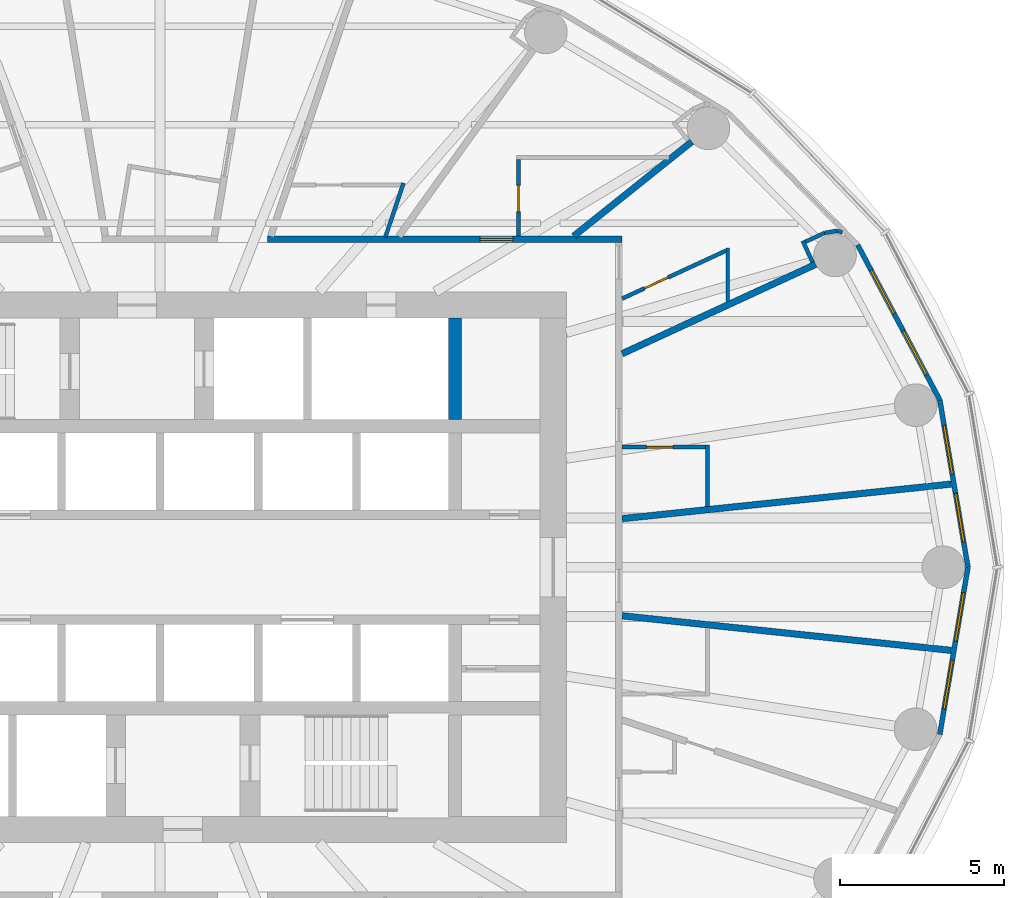
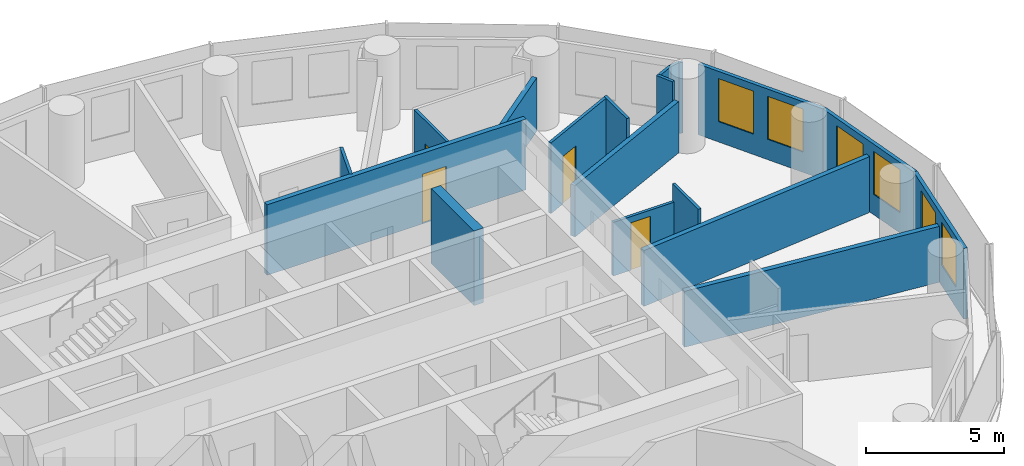
# One storey, part 10 of 13: 19 walls, 6 windows, 4 doors, 10 openings.
"""IFC4 building model written with IfcOpenShell, lengths in metres."""

from ifc_helpers import new_model, si_unit, direction, frame, frame_2d, origin, place, context, subcontext, project, spatial, rectangle, extrude, material, layer, layer_set, type_object, element, fill, save


model = new_model("IFC4")

# Units and contexts
model_context = context("Model", 3, precision=1e-05, world=origin(), true_north=direction((0.0, 1.0)))
body_context = subcontext(model_context, "Body", "Model", "MODEL_VIEW")
ifc_project = project(units=[si_unit("LENGTHUNIT", "METRE"), si_unit("AREAUNIT", "SQUARE_METRE"), si_unit("VOLUMEUNIT", "CUBIC_METRE"), si_unit("PLANEANGLEUNIT", "RADIAN"), si_unit("MASSUNIT", "GRAM", prefix="KILO")], contexts=[model_context])

# Site, building, storey
site_placement = place(None, origin())
site = spatial("IfcSite", under=ifc_project, at=site_placement, CompositionType="ELEMENT")
building_placement = place(site_placement, origin())
building = spatial("IfcBuilding", under=site, at=building_placement, Name="Hankou Lantern Tower", CompositionType="ELEMENT")
storey_placement = place(building_placement, frame((0.0, 0.0, 118.800048828125)))
storey = spatial("IfcBuildingStorey", under=building, at=storey_placement, Name="L30", CompositionType="ELEMENT", Elevation=118.800048828125)

# Wall
ifc_material_1 = material(Name="Concrete C60", Category="concrete")
ifc_layer_1 = layer(ifc_material_1, 0.39990234375)
ifc_layer_set_1 = layer_set([ifc_layer_1], Name="Concrete C60")
wall_type_1 = type_object("IfcWallType", Name="CW4 CORE CROSS WALL 400", PredefinedType="SHEAR", material=ifc_layer_set_1)
wall_1_placement = place(storey_placement, frame((9.0, 4.5, 0.0), z_axis=(0.0, 0.0, 1.0), x_axis=(0.0, 1.0, 0.0)))
element("IfcWall", 1, at=wall_1_placement, inside=storey, type_object=wall_type_1, Name="Core strip wall L30", PredefinedType="SHEAR", context=body_context, shape_type="SweptSolid", body=[
    extrude(rectangle(XDim=3.10009765625, YDim=0.39990234375, at=frame_2d((1.550048828125, 0.0))), origin(), (0.0, 0.0, 1.0), 3.300048828125),
])

# Wall, openings, windows
ifc_material_2 = material(Name="Aluminium spandrel panel on steel studs", Category="steel")
ifc_layer_2 = layer(ifc_material_2, 0.14990234375)
ifc_layer_set_2 = layer_set([ifc_layer_2], Name="Aluminium spandrel panel on steel studs")
wall_type_2 = type_object("IfcWallType", Name="EW1 INNER SKIN WALL 150", PredefinedType="ELEMENTEDWALL", material=ifc_layer_set_2)
wall_2_placement = place(storey_placement, frame((24.64990234375, 0.0, 0.0), z_axis=(0.0, 0.0, 1.0), x_axis=(-0.165883894218, 0.986145290329, 0.0)))
wall_2 = element("IfcWall", 2, at=wall_2_placement, inside=storey, type_object=wall_type_2, Name="Inner skin R01-R02 L30", PredefinedType="ELEMENTEDWALL", context=body_context, shape_type="SweptSolid", body=[
    extrude(rectangle(XDim=5.171630859375, YDim=0.14990234375, at=frame_2d((2.5859375, 0.0))), origin(), (0.0, 0.0, 1.0), 3.119873046875),
])
opening_1_placement = place(wall_2_placement, frame((0.785888671875, 0.0, 0.89990234375)))
opening_1 = element("IfcOpeningElement", 3, at=opening_1_placement, cuts=wall_2, Name="Opening W2", PredefinedType="OPENING", context=body_context, shape_type="SweptSolid", body=[
    extrude(rectangle(XDim=1.5, YDim=1.89990234375, at=frame_2d((0.75, 0.949951171875))), frame((0.0, 0.0849609375, 0.0), z_axis=(0.0, -1.0, 0.0), x_axis=(1.0, 0.0, 0.0)), (0.0, 0.0, 1.0), 0.169921875),
])
opening_2_placement = place(wall_2_placement, frame((2.8857421875, 0.0, 0.89990234375)))
opening_2 = element("IfcOpeningElement", 4, at=opening_2_placement, cuts=wall_2, Name="Opening W2", PredefinedType="OPENING", context=body_context, shape_type="SweptSolid", body=[
    extrude(rectangle(XDim=1.5, YDim=1.89990234375, at=frame_2d((0.75, 0.949951171875))), frame((0.0, 0.0849609375, 0.0), z_axis=(0.0, -1.0, 0.0), x_axis=(1.0, 0.0, 0.0)), (0.0, 0.0, 1.0), 0.169921875),
])
ifc_material_3 = material(Name="Aluminium framed double glazed window", Category="aluminium")
window_type = type_object("IfcWindowType", Name="W2 GUEST ROOM WINDOW 1500X1900", PartitioningType="DOUBLE_PANEL_VERTICAL", PredefinedType="WINDOW", material=ifc_material_3)
window_1_placement = place(opening_1_placement, origin())
window_1 = element("IfcWindow", 5, at=window_1_placement, inside=storey, type_object=window_type, Name="Window R01.1 L30", OverallHeight=1.89990234375, OverallWidth=1.5, PartitioningType="SINGLE_PANEL", PredefinedType="WINDOW", context=body_context, shape_type="SweptSolid", body=[
    extrude(rectangle(XDim=1.5, YDim=1.89990234375, at=frame_2d((0.75, 0.949951171875))), frame((0.0, 0.030029296875, 0.0), z_axis=(0.0, -1.0, 0.0), x_axis=(1.0, 0.0, 0.0)), (0.0, 0.0, 1.0), 0.06005859375),
])
fill(opening_1, window_1)
window_2_placement = place(opening_2_placement, origin())
window_2 = element("IfcWindow", 6, at=window_2_placement, inside=storey, type_object=window_type, Name="Window R01.2 L30", OverallHeight=1.89990234375, OverallWidth=1.5, PartitioningType="SINGLE_PANEL", PredefinedType="WINDOW", context=body_context, shape_type="SweptSolid", body=[
    extrude(rectangle(XDim=1.5, YDim=1.89990234375, at=frame_2d((0.75, 0.949951171875))), frame((0.0, 0.030029296875, 0.0), z_axis=(0.0, -1.0, 0.0), x_axis=(1.0, 0.0, 0.0)), (0.0, 0.0, 1.0), 0.06005859375),
])
fill(opening_2, window_2)

wall_3_placement = place(storey_placement, frame((23.7919921875, 5.10009765625, 0.0), z_axis=(0.0, 0.0, 1.0), x_axis=(-0.467814388454, 0.883826735257, 0.0)))
wall_3 = element("IfcWall", 7, at=wall_3_placement, inside=storey, type_object=wall_type_2, Name="Inner skin R02-R03 L30", PredefinedType="ELEMENTEDWALL", context=body_context, shape_type="SweptSolid", body=[
    extrude(rectangle(XDim=5.35400390625, YDim=0.14990234375, at=frame_2d((2.677001953125, 0.0))), origin(), (0.0, 0.0, 1.0), 3.119873046875),
])
opening_3_placement = place(wall_3_placement, frame((0.876953125, 0.0, 0.89990234375)))
opening_3 = element("IfcOpeningElement", 8, at=opening_3_placement, cuts=wall_3, Name="Opening W2", PredefinedType="OPENING", context=body_context, shape_type="SweptSolid", body=[
    extrude(rectangle(XDim=1.5, YDim=1.89990234375, at=frame_2d((0.75, 0.949951171875))), frame((0.0, 0.0849609375, 0.0), z_axis=(0.0, -1.0, 0.0), x_axis=(1.0, 0.0, 0.0)), (0.0, 0.0, 1.0), 0.169921875),
])
opening_4_placement = place(wall_3_placement, frame((2.97705078125, 0.0, 0.89990234375)))
opening_4 = element("IfcOpeningElement", 9, at=opening_4_placement, cuts=wall_3, Name="Opening W2", PredefinedType="OPENING", context=body_context, shape_type="SweptSolid", body=[
    extrude(rectangle(XDim=1.5, YDim=1.89990234375, at=frame_2d((0.75, 0.949951171875))), frame((0.0, 0.0849609375, 0.0), z_axis=(0.0, -1.0, 0.0), x_axis=(1.0, 0.0, 0.0)), (0.0, 0.0, 1.0), 0.169921875),
])
window_3_placement = place(opening_3_placement, origin())
window_3 = element("IfcWindow", 10, at=window_3_placement, inside=storey, type_object=window_type, Name="Window R02.1 L30", OverallHeight=1.89990234375, OverallWidth=1.5, PartitioningType="SINGLE_PANEL", PredefinedType="WINDOW", context=body_context, shape_type="SweptSolid", body=[
    extrude(rectangle(XDim=1.5, YDim=1.89990234375, at=frame_2d((0.75, 0.949951171875))), frame((0.0, 0.030029296875, 0.0), z_axis=(0.0, -1.0, 0.0), x_axis=(1.0, 0.0, 0.0)), (0.0, 0.0, 1.0), 0.06005859375),
])
fill(opening_3, window_3)
window_4_placement = place(opening_4_placement, origin())
window_4 = element("IfcWindow", 11, at=window_4_placement, inside=storey, type_object=window_type, Name="Window R02.2 L30", OverallHeight=1.89990234375, OverallWidth=1.5, PartitioningType="SINGLE_PANEL", PredefinedType="WINDOW", context=body_context, shape_type="SweptSolid", body=[
    extrude(rectangle(XDim=1.5, YDim=1.89990234375, at=frame_2d((0.75, 0.949951171875))), frame((0.0, 0.030029296875, 0.0), z_axis=(0.0, -1.0, 0.0), x_axis=(1.0, 0.0, 0.0)), (0.0, 0.0, 1.0), 0.06005859375),
])
fill(opening_4, window_4)

wall_4_placement = place(storey_placement, frame((23.7919921875, -5.10009765625, 0.0), z_axis=(0.0, 0.0, 1.0), x_axis=(0.165883894218, 0.986145290329, 0.0)))
wall_4 = element("IfcWall", 12, at=wall_4_placement, inside=storey, type_object=wall_type_2, Name="Inner skin R24-R01 L30", PredefinedType="ELEMENTEDWALL", context=body_context, shape_type="SweptSolid", body=[
    extrude(rectangle(XDim=5.171630859375, YDim=0.14990234375, at=frame_2d((2.5859375, 0.0))), origin(), (0.0, 0.0, 1.0), 3.119873046875),
])
opening_5_placement = place(wall_4_placement, frame((0.785888671875, 0.0, 0.89990234375)))
opening_5 = element("IfcOpeningElement", 13, at=opening_5_placement, cuts=wall_4, Name="Opening W2", PredefinedType="OPENING", context=body_context, shape_type="SweptSolid", body=[
    extrude(rectangle(XDim=1.5, YDim=1.89990234375, at=frame_2d((0.75, 0.949951171875))), frame((0.0, 0.0849609375, 0.0), z_axis=(0.0, -1.0, 0.0), x_axis=(1.0, 0.0, 0.0)), (0.0, 0.0, 1.0), 0.169921875),
])
opening_6_placement = place(wall_4_placement, frame((2.8857421875, 0.0, 0.89990234375)))
opening_6 = element("IfcOpeningElement", 14, at=opening_6_placement, cuts=wall_4, Name="Opening W2", PredefinedType="OPENING", context=body_context, shape_type="SweptSolid", body=[
    extrude(rectangle(XDim=1.5, YDim=1.89990234375, at=frame_2d((0.75, 0.949951171875))), frame((0.0, 0.0849609375, 0.0), z_axis=(0.0, -1.0, 0.0), x_axis=(1.0, 0.0, 0.0)), (0.0, 0.0, 1.0), 0.169921875),
])
window_5_placement = place(opening_5_placement, origin())
window_5 = element("IfcWindow", 15, at=window_5_placement, inside=storey, type_object=window_type, Name="Window R24.1 L30", OverallHeight=1.89990234375, OverallWidth=1.5, PartitioningType="SINGLE_PANEL", PredefinedType="WINDOW", context=body_context, shape_type="SweptSolid", body=[
    extrude(rectangle(XDim=1.5, YDim=1.89990234375, at=frame_2d((0.75, 0.949951171875))), frame((0.0, 0.030029296875, 0.0), z_axis=(0.0, -1.0, 0.0), x_axis=(1.0, 0.0, 0.0)), (0.0, 0.0, 1.0), 0.06005859375),
])
fill(opening_5, window_5)
window_6_placement = place(opening_6_placement, origin())
window_6 = element("IfcWindow", 16, at=window_6_placement, inside=storey, type_object=window_type, Name="Window R24.2 L30", OverallHeight=1.89990234375, OverallWidth=1.5, PartitioningType="SINGLE_PANEL", PredefinedType="WINDOW", context=body_context, shape_type="SweptSolid", body=[
    extrude(rectangle(XDim=1.5, YDim=1.89990234375, at=frame_2d((0.75, 0.949951171875))), frame((0.0, 0.030029296875, 0.0), z_axis=(0.0, -1.0, 0.0), x_axis=(1.0, 0.0, 0.0)), (0.0, 0.0, 1.0), 0.06005859375),
])
fill(opening_6, window_6)

# Walls
ifc_material_4 = material(Name="Masonry lightweight concrete block", Category="masonry")
ifc_layer_3 = layer(ifc_material_4, 0.199951171875)
ifc_layer_set_3 = layer_set([ifc_layer_3], Name="Masonry lightweight concrete block")
wall_type_3 = type_object("IfcWallType", Name="IW1 GUEST ROOM PARTY WALL 200", PredefinedType="PARTITIONING", material=ifc_layer_set_3)
wall_5_placement = place(storey_placement, frame((14.10009765625, 6.512451171875, 0.0), z_axis=(0.0, 0.0, 1.0), x_axis=(0.907833019998, 0.419331858797, 0.0)))
element("IfcWall", 17, at=wall_5_placement, inside=storey, type_object=wall_type_3, Name="Party wall R03", PredefinedType="PARTITIONING", context=body_context, shape_type="SweptSolid", body=[
    extrude(rectangle(XDim=6.505126953125, YDim=0.199951171875, at=frame_2d((3.25244140625, 0.0))), origin(), (0.0, 0.0, 1.0), 2.27001953125),
])
wall_6_placement = place(storey_placement, frame((12.625, 10.10009765625, 0.0), z_axis=(0.0, 0.0, 1.0), x_axis=(0.780863644897, 0.624701503182, 0.0)))
element("IfcWall", 18, at=wall_6_placement, inside=storey, type_object=wall_type_3, Name="Party wall R04", PredefinedType="PARTITIONING", context=body_context, shape_type="SweptSolid", body=[
    extrude(rectangle(XDim=4.612060546875, YDim=0.199951171875, at=frame_2d((2.30615234375, 0.0))), origin(), (0.0, 0.0, 1.0), 2.369873046875),
])

# Wall, opening, door
ifc_material_5 = material(Name="Masonry lightweight concrete block", Category="masonry")
ifc_layer_4 = layer(ifc_material_5, 0.199951171875)
ifc_layer_set_4 = layer_set([ifc_layer_4], Name="Masonry lightweight concrete block")
wall_type_4 = type_object("IfcWallType", Name="IW2 CORRIDOR WALL 200", PredefinedType="PARTITIONING", material=ifc_layer_set_4)
wall_7_placement = place(storey_placement, frame((3.282958984375, 10.0, 0.0), z_axis=(0.0, 0.0, 1.0), x_axis=(1.0, 0.0, 0.0)))
wall_7 = element("IfcWall", 19, at=wall_7_placement, inside=storey, type_object=wall_type_4, Name="Corridor wall north", PredefinedType="PARTITIONING", context=body_context, shape_type="SweptSolid", body=[
    extrude(rectangle(XDim=10.817138671875, YDim=0.199951171875, at=frame_2d((5.40869140625, 0.0))), origin(), (0.0, 0.0, 1.0), 3.119873046875),
])
opening_7_placement = place(wall_7_placement, frame((6.482177734375, 0.0, 0.0)))
opening_7 = element("IfcOpeningElement", 20, at=opening_7_placement, cuts=wall_7, Name="Opening D1", PredefinedType="OPENING", context=body_context, shape_type="SweptSolid", body=[
    extrude(rectangle(XDim=1.0, YDim=2.199951171875, at=frame_2d((0.5, 1.10009765625))), frame((0.0, 0.10986328125, 0.0), z_axis=(0.0, -1.0, 0.0), x_axis=(1.0, 0.0, 0.0)), (0.0, 0.0, 1.0), 0.219970703125),
])
ifc_material_6 = material(Name="Steel door leaf", Category="steel")
door_type_1 = type_object("IfcDoorType", Name="D1 GUEST ROOM DOOR 1000X2200", OperationType="SINGLE_SWING_LEFT", PredefinedType="DOOR", material=ifc_material_6)
door_1_placement = place(opening_7_placement, origin())
door_1 = element("IfcDoor", 21, at=door_1_placement, inside=storey, type_object=door_type_1, Name="Guest room door 3019", OperationType="SINGLE_SWING_RIGHT", OverallHeight=2.199951171875, OverallWidth=1.0, PredefinedType="DOOR", context=body_context, shape_type="SweptSolid", body=[
    extrude(rectangle(XDim=1.0, YDim=2.199951171875, at=frame_2d((0.5, 1.10009765625))), frame((0.0, 0.02490234375, 0.0), z_axis=(0.0, -1.0, 0.0), x_axis=(1.0, 0.0, 0.0)), (0.0, 0.0, 1.0), 0.050048828125),
])
fill(opening_7, door_1)

# Wall
ifc_material_7 = material(Name="Masonry lightweight concrete block", Category="masonry")
ifc_layer_5 = layer(ifc_material_7, 0.1201171875)
ifc_layer_set_5 = layer_set([ifc_layer_5], Name="Masonry lightweight concrete block")
wall_type_5 = type_object("IfcWallType", Name="IW3 BATHROOM WALL 120", PredefinedType="PARTITIONING", material=ifc_layer_set_5)
wall_8_placement = place(storey_placement, frame((16.699951171875, 1.85498046875, 0.0), z_axis=(0.0, 0.0, 1.0), x_axis=(0.0, 1.0, 0.0)))
element("IfcWall", 22, at=wall_8_placement, inside=storey, type_object=wall_type_5, Name="Box wall 3017 1", PredefinedType="PARTITIONING", context=body_context, shape_type="SweptSolid", body=[
    extrude(rectangle(XDim=1.86669921875, YDim=0.1201171875, at=frame_2d((0.933349609375, 0.0))), origin(), (0.0, 0.0, 1.0), 3.119873046875),
])

# Wall, opening, door
wall_9_placement = place(storey_placement, frame((14.10009765625, 3.661865234375, 0.0), z_axis=(0.0, 0.0, 1.0), x_axis=(1.0, 0.0, 0.0)))
wall_9 = element("IfcWall", 23, at=wall_9_placement, inside=storey, type_object=wall_type_5, Name="Box wall 3017 1", PredefinedType="PARTITIONING", context=body_context, shape_type="SweptSolid", body=[
    extrude(rectangle(XDim=2.539794921875, YDim=0.1201171875, at=frame_2d((1.27001953125, 0.0))), origin(), (0.0, 0.0, 1.0), 2.369873046875),
])
opening_8_placement = place(wall_9_placement, frame((0.75, 0.0, 0.0)))
opening_8 = element("IfcOpeningElement", 24, at=opening_8_placement, cuts=wall_9, Name="Opening D3", PredefinedType="OPENING", context=body_context, shape_type="SweptSolid", body=[
    extrude(rectangle(XDim=0.800048828125, YDim=2.10009765625, at=frame_2d((0.39990234375, 1.050048828125))), frame((0.0, 0.070068359375, 0.0), z_axis=(0.0, -1.0, 0.0), x_axis=(1.0, 0.0, 0.0)), (0.0, 0.0, 1.0), 0.14013671875),
])
ifc_material_8 = material(Name="Timber door leaf", Category="wood")
door_type_2 = type_object("IfcDoorType", Name="D3 BATHROOM DOOR 800X2100", OperationType="SINGLE_SWING_LEFT", PredefinedType="DOOR", material=ifc_material_8)
door_2_placement = place(opening_8_placement, origin())
door_2 = element("IfcDoor", 25, at=door_2_placement, inside=storey, type_object=door_type_2, Name="En-suite bathroom 3017 door", OperationType="SINGLE_SWING_LEFT", OverallHeight=2.10009765625, OverallWidth=0.800048828125, PredefinedType="DOOR", context=body_context, shape_type="SweptSolid", body=[
    extrude(rectangle(XDim=0.800048828125, YDim=2.10009765625, at=frame_2d((0.39990234375, 1.050048828125))), frame((0.0, 0.02490234375, 0.0), z_axis=(0.0, -1.0, 0.0), x_axis=(1.0, 0.0, 0.0)), (0.0, 0.0, 1.0), 0.050048828125),
])
fill(opening_8, door_2)

# Wall
wall_10_placement = place(storey_placement, frame((17.32275390625, 8.10107421875, 0.0), z_axis=(0.0, 0.0, 1.0), x_axis=(0.0, 1.0, 0.0)))
element("IfcWall", 26, at=wall_10_placement, inside=storey, type_object=wall_type_5, Name="Box wall 3018 1", PredefinedType="PARTITIONING", context=body_context, shape_type="SweptSolid", body=[
    extrude(rectangle(XDim=1.639892578125, YDim=0.1201171875, at=frame_2d((0.81982421875, 0.0))), origin(), (0.0, 0.0, 1.0), 3.119873046875),
])

# Wall, opening, door
wall_11_placement = place(storey_placement, frame((14.10009765625, 8.192626953125, 0.0), z_axis=(0.0, 0.0, 1.0), x_axis=(0.907836493557, 0.419324338628, 0.0)))
wall_11 = element("IfcWall", 27, at=wall_11_placement, inside=storey, type_object=wall_type_5, Name="Box wall 3018 1", PredefinedType="PARTITIONING", context=body_context, shape_type="SweptSolid", body=[
    extrude(rectangle(XDim=3.48974609375, YDim=0.1201171875, at=frame_2d((1.744873046875, 0.0))), origin(), (0.0, 0.0, 1.0), 3.119873046875),
])
opening_9_placement = place(wall_11_placement, frame((0.75, 0.0, 0.0)))
opening_9 = element("IfcOpeningElement", 28, at=opening_9_placement, cuts=wall_11, Name="Opening D3", PredefinedType="OPENING", context=body_context, shape_type="SweptSolid", body=[
    extrude(rectangle(XDim=0.800048828125, YDim=2.10009765625, at=frame_2d((0.39990234375, 1.050048828125))), frame((0.0, 0.070068359375, 0.0), z_axis=(0.0, -1.0, 0.0), x_axis=(1.0, 0.0, 0.0)), (0.0, 0.0, 1.0), 0.14013671875),
])
door_3_placement = place(opening_9_placement, origin())
door_3 = element("IfcDoor", 29, at=door_3_placement, inside=storey, type_object=door_type_2, Name="En-suite bathroom 3018 door", OperationType="SINGLE_SWING_LEFT", OverallHeight=2.10009765625, OverallWidth=0.800048828125, PredefinedType="DOOR", context=body_context, shape_type="SweptSolid", body=[
    extrude(rectangle(XDim=0.800048828125, YDim=2.10009765625, at=frame_2d((0.39990234375, 1.050048828125))), frame((0.0, 0.02490234375, 0.0), z_axis=(0.0, -1.0, 0.0), x_axis=(1.0, 0.0, 0.0)), (0.0, 0.0, 1.0), 0.050048828125),
])
fill(opening_9, door_3)

wall_12_placement = place(storey_placement, frame((10.945068359375, 10.10009765625, 0.0), z_axis=(0.0, 0.0, 1.0), x_axis=(0.0, 1.0, 0.0)))
wall_12 = element("IfcWall", 30, at=wall_12_placement, inside=storey, type_object=wall_type_5, Name="Box wall 3019 1", PredefinedType="PARTITIONING", context=body_context, shape_type="SweptSolid", body=[
    extrude(rectangle(XDim=2.33984375, YDim=0.1201171875, at=frame_2d((1.169921875, 0.0))), origin(), (0.0, 0.0, 1.0), 3.119873046875),
])
opening_10_placement = place(wall_12_placement, frame((0.75, 0.0, 0.0)))
opening_10 = element("IfcOpeningElement", 31, at=opening_10_placement, cuts=wall_12, Name="Opening D3", PredefinedType="OPENING", context=body_context, shape_type="SweptSolid", body=[
    extrude(rectangle(XDim=0.800048828125, YDim=2.10009765625, at=frame_2d((0.39990234375, 1.050048828125))), frame((0.0, 0.070068359375, 0.0), z_axis=(0.0, -1.0, 0.0), x_axis=(1.0, 0.0, 0.0)), (0.0, 0.0, 1.0), 0.14013671875),
])
door_4_placement = place(opening_10_placement, origin())
door_4 = element("IfcDoor", 32, at=door_4_placement, inside=storey, type_object=door_type_2, Name="En-suite bathroom 3019 door", OperationType="SINGLE_SWING_LEFT", OverallHeight=2.10009765625, OverallWidth=0.800048828125, PredefinedType="DOOR", context=body_context, shape_type="SweptSolid", body=[
    extrude(rectangle(XDim=0.800048828125, YDim=2.10009765625, at=frame_2d((0.39990234375, 1.050048828125))), frame((0.0, 0.02490234375, 0.0), z_axis=(0.0, -1.0, 0.0), x_axis=(1.0, 0.0, 0.0)), (0.0, 0.0, 1.0), 0.050048828125),
])
fill(opening_10, door_4)

# Walls
wall_13_placement = place(storey_placement, frame((6.877685546875, 10.068359375, 0.0), z_axis=(0.0, 0.0, 1.0), x_axis=(0.317532394508, 0.948247424694, 0.0)))
element("IfcWall", 33, at=wall_13_placement, inside=storey, type_object=wall_type_5, Name="Box wall 3020 1", PredefinedType="PARTITIONING", context=body_context, shape_type="SweptSolid", body=[
    extrude(rectangle(XDim=1.739990234375, YDim=0.1201171875, at=frame_2d((0.8701171875, 0.0))), origin(), (0.0, 0.0, 1.0), 3.119873046875),
])
ifc_material_9 = material(Name="Masonry lightweight concrete block", Category="masonry")
ifc_layer_6 = layer(ifc_material_9, 0.1201171875)
ifc_layer_set_6 = layer_set([ifc_layer_6], Name="Masonry lightweight concrete block")
wall_type_6 = type_object("IfcWallType", Name="IW4 PARTITION 120", PredefinedType="PARTITIONING", material=ifc_layer_set_6)
wall_14_placement = place(storey_placement, frame((19.9091796875, 9.305908203125, 0.0), z_axis=(0.0, 0.0, 1.0), x_axis=(-0.419296148934, 0.90784951368, 0.0)))
element("IfcWall", 34, at=wall_14_placement, inside=storey, type_object=wall_type_6, Name="Column casing R03 return", PredefinedType="PARTITIONING", context=body_context, shape_type="SweptSolid", body=[
    extrude(rectangle(XDim=0.715576171875, YDim=0.1201171875, at=frame_2d((0.35791015625, 0.0))), origin(), (0.0, 0.0, 1.0), 3.119873046875),
])
wall_15_placement = place(storey_placement, frame((19.688720703125, 9.92626953125, 0.0), z_axis=(0.0, 0.0, 1.0), x_axis=(0.907893409272, 0.419201094227, 0.0)))
element("IfcWall", 35, at=wall_15_placement, inside=storey, type_object=wall_type_6, Name="Column casing R03", PredefinedType="PARTITIONING", context=body_context, shape_type="SweptSolid", body=[
    extrude(rectangle(XDim=0.64990234375, YDim=0.1201171875, at=frame_2d((0.324951171875, 0.0))), origin(), (0.0, 0.0, 1.0), 3.119873046875),
])
wall_16_placement = place(storey_placement, frame((20.27880859375, 10.19873046875, 0.0), z_axis=(0.0, 0.0, 1.0), x_axis=(0.985380740712, 0.170366651181, 0.0)))
element("IfcWall", 36, at=wall_16_placement, inside=storey, type_object=wall_type_6, Name="Column casing R03", PredefinedType="PARTITIONING", context=body_context, shape_type="SweptSolid", body=[
    extrude(rectangle(XDim=0.39111328125, YDim=0.1201171875, at=frame_2d((0.195556640625, 0.0))), origin(), (0.0, 0.0, 1.0), 3.119873046875),
])
wall_17_placement = place(storey_placement, frame((20.664306640625, 10.265380859375, 0.0), z_axis=(0.0, 0.0, 1.0), x_axis=(0.938058651481, -0.346476501918, 0.0)))
element("IfcWall", 37, at=wall_17_placement, inside=storey, type_object=wall_type_6, Name="Column casing R03", PredefinedType="PARTITIONING", context=body_context, shape_type="SweptSolid", body=[
    extrude(rectangle(XDim=0.161376953125, YDim=0.1201171875, at=frame_2d((0.08056640625, 0.0))), origin(), (0.0, 0.0, 1.0), 3.119873046875),
])
ifc_material_10 = material(Name="Masonry lightweight concrete block", Category="masonry")
ifc_layer_7 = layer(ifc_material_10, 0.199951171875)
ifc_layer_set_7 = layer_set([ifc_layer_7], Name="Masonry lightweight concrete block")
wall_type_7 = type_object("IfcWallType", Name="IW8 PARTITION 200", PredefinedType="PARTITIONING", material=ifc_layer_set_7)
for number, where, z_axis, x_axis, name in (
    (38, (14.10009765625, 1.481689453125, 0.0), (0.0, 0.0, 1.0), (0.994523202615, 0.104516024894, 0.0), "Partition R01-R02"),
    (39, (14.10009765625, -1.481689453125, 0.0), (0.0, 0.0, 1.0), (0.994523202615, -0.104516024894, 0.0), "Partition R24-R01"),
):
    element("IfcWall", number, at=place(storey_placement, frame(where, z_axis=z_axis, x_axis=x_axis)), inside=storey, type_object=wall_type_7, Name=name, PredefinedType="PARTITIONING", context=body_context, shape_type="SweptSolid", body=[
        extrude(rectangle(XDim=10.091064453125, YDim=0.199951171875, at=frame_2d((5.04541015625, 0.0))), origin(), (0.0, 0.0, 1.0), 2.469970703125),
    ])

save(model, "model.ifc")
